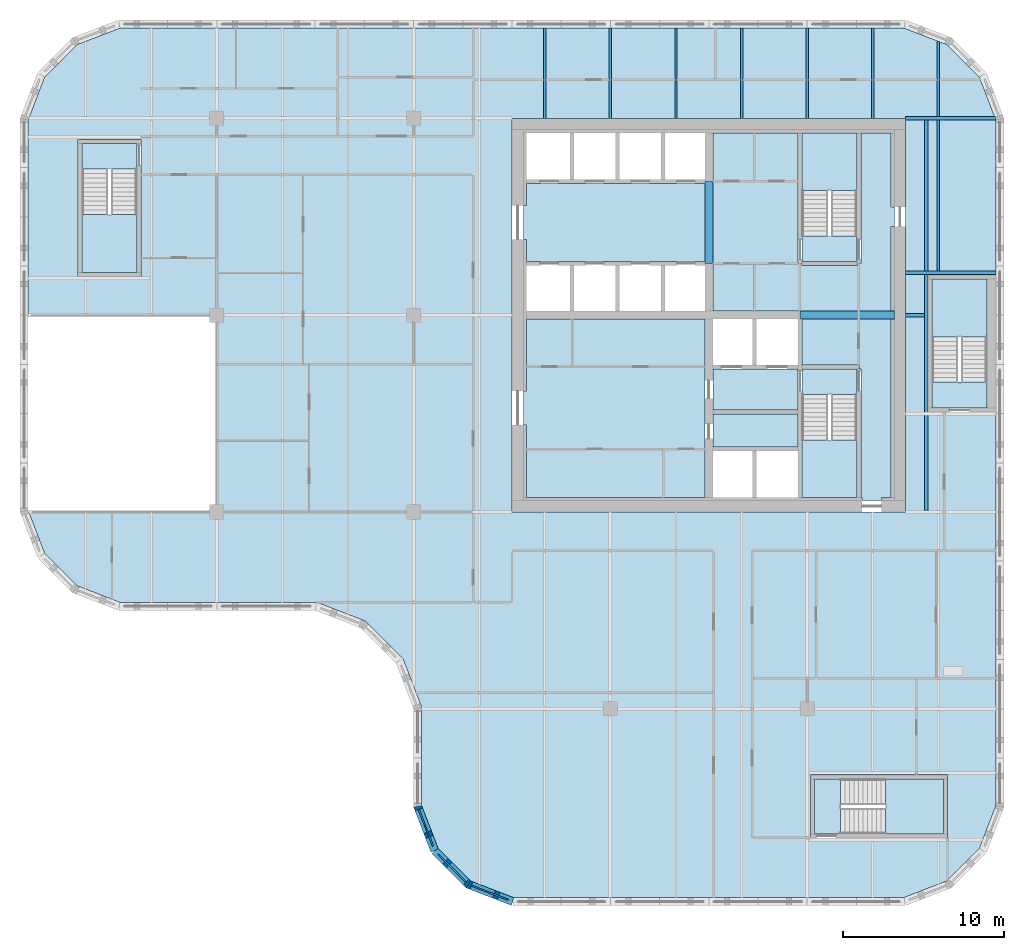
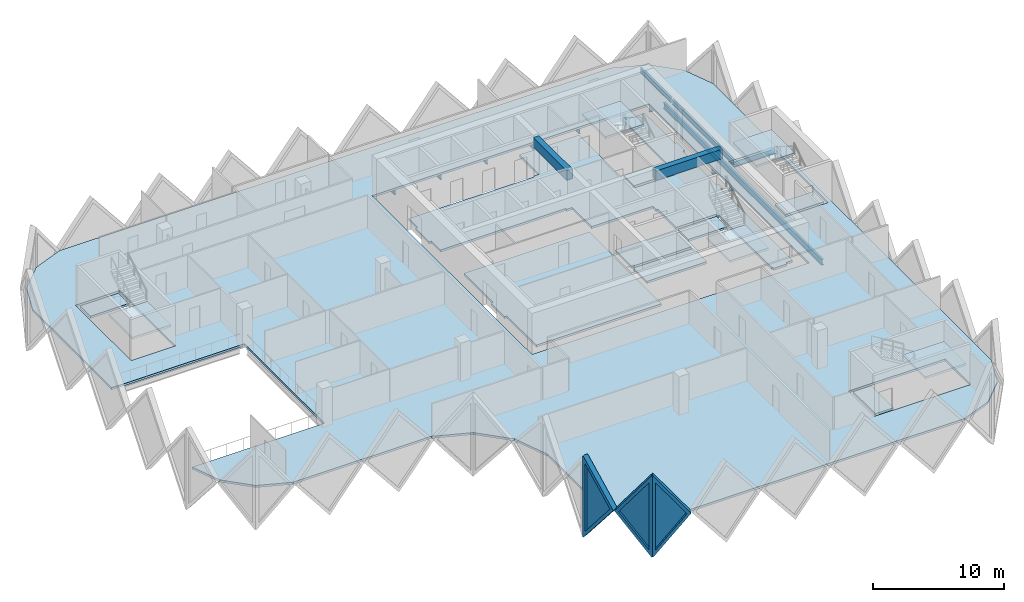
# One storey, part 2 of 13: 15 slabs, 14 beams, 3 plates, 3 walls, 3 openings, 5 elements without a shape of their own.
"""IFC4 building model written with IfcOpenShell, lengths in metres."""

from ifc_helpers import new_model, si_unit, direction, frame, origin, origin_2d, place, context, subcontext, project, spatial, polyline, rectangle, i_section, outline, extrude, faceted_brep, source, transform, mapped, material, layer, layer_set, material_profile, profile_set, type_object, element, fill, aggregate, save


model = new_model("IFC4")

# Units and contexts
model_context = context("Model", 3, precision=1e-05, world=origin(), true_north=direction((0.0, 1.0)))
body_context = subcontext(model_context, "Body", "Model", "MODEL_VIEW")
ifc_project = project(units=[si_unit("LENGTHUNIT", "METRE"), si_unit("AREAUNIT", "SQUARE_METRE"), si_unit("VOLUMEUNIT", "CUBIC_METRE"), si_unit("PLANEANGLEUNIT", "RADIAN"), si_unit("MASSUNIT", "GRAM", prefix="KILO")], contexts=[model_context])

# Site, building, storey
site_placement = place(None, origin())
site = spatial("IfcSite", under=ifc_project, at=site_placement, CompositionType="ELEMENT")
building_placement = place(site_placement, origin())
building = spatial("IfcBuilding", under=site, at=building_placement, Name="Tessera Gate Towers", CompositionType="ELEMENT")
storey_placement = place(building_placement, frame((0.0, 0.0, 131.60009765625)))
storey = spatial("IfcBuildingStorey", under=building, at=storey_placement, Name="L32", CompositionType="ELEMENT", Elevation=131.60009765625)

# Beams
ifc_material_1 = material(Name="Concrete C60/75", Category="concrete")
ifc_material_profile_1 = material_profile(ifc_material_1, rectangle(XDim=0.5, YDim=0.89990234375, at=origin_2d()), Name="RC 500x900")
ifc_profile_set_1 = profile_set([ifc_material_profile_1], Name="Concrete C60/75")
beam_type_1 = type_object("IfcBeamType", Name="COUPLING BEAM 500x900 C60/75", PredefinedType="BEAM", material=ifc_profile_set_1)
beam_1_placement = place(storey_placement, frame((48.35009765625, 36.60009765625, 3.14990234375), z_axis=(1.0, 0.0, 0.0), x_axis=(0.0, 1.0, 0.0)))
element("IfcBeam", 1, at=beam_1_placement, inside=storey, type_object=beam_type_1, Name="L32 coupling beam 1", PredefinedType="BEAM", context=body_context, shape_type="SweptSolid", body=[
    extrude(rectangle(XDim=0.5, YDim=0.89990234375, at=origin_2d()), origin(), (0.0, 0.0, 1.0), 5.849853515625),
])
beam_2_placement = place(storey_placement, frame((42.699951171875, 39.800048828125, 3.14990234375), z_axis=(0.0, 1.0, 0.0), x_axis=(-1.0, 0.0, 0.0)))
element("IfcBeam", 2, at=beam_2_placement, inside=storey, type_object=beam_type_1, Name="L32 coupling beam 2", PredefinedType="BEAM", context=body_context, shape_type="SweptSolid", body=[
    extrude(rectangle(XDim=0.5, YDim=0.89990234375, at=origin_2d()), origin(), (0.0, 0.0, 1.0), 5.099853515625),
])
ifc_material_2 = material(Name="Steel 350W", Category="steel")
ifc_material_profile_2 = material_profile(ifc_material_2, i_section(OverallWidth=0.208984375, OverallDepth=0.532958984375, WebThickness=0.01025390625, FlangeThickness=0.015625, at=origin_2d()), Name="W530x92")
ifc_profile_set_2 = profile_set([ifc_material_profile_2], Name="Steel 350W")
beam_type_2 = type_object("IfcBeamType", Name="FLOOR GIRDER W530x92", PredefinedType="BEAM", material=ifc_profile_set_2)
beam_3_placement = place(storey_placement, frame((54.89892578125, 36.60009765625, -0.466552734375), z_axis=(1.0, 0.0, 0.0), x_axis=(0.0, 1.0, 0.0)))
element("IfcBeam", 3, at=beam_3_placement, inside=storey, type_object=beam_type_2, Name="T1-GD-L32-3936", PredefinedType="BEAM", context=body_context, shape_type="SweptSolid", body=[
    extrude(i_section(OverallWidth=0.208984375, OverallDepth=0.532958984375, WebThickness=0.01025390625, FlangeThickness=0.015625, at=origin_2d()), origin(), (0.0, 0.0, 1.0), 1.176513671875),
])
beam_4_placement = place(storey_placement, frame((54.90087890625, 48.800048828125, -0.466552734375), z_axis=(1.0, 0.0, 0.0), x_axis=(0.0, 1.0, 0.0)))
element("IfcBeam", 4, at=beam_4_placement, inside=storey, type_object=beam_type_2, Name="T1-GD-L32-3940", PredefinedType="BEAM", context=body_context, shape_type="SweptSolid", body=[
    extrude(i_section(OverallWidth=0.208984375, OverallDepth=0.532958984375, WebThickness=0.01025390625, FlangeThickness=0.015625, at=origin_2d()), origin(), (0.0, 0.0, 1.0), 5.564208984375),
])
beam_5_placement = place(storey_placement, frame((54.89892578125, 39.219970703125, -0.466552734375), z_axis=(1.0, 0.0, 0.0), x_axis=(0.0, 1.0, 0.0)))
element("IfcBeam", 5, at=beam_5_placement, inside=storey, type_object=beam_type_2, Name="T1-GD-L32-3958", PredefinedType="BEAM", context=body_context, shape_type="SweptSolid", body=[
    extrude(i_section(OverallWidth=0.208984375, OverallDepth=0.532958984375, WebThickness=0.01025390625, FlangeThickness=0.015625, at=origin_2d()), origin(), (0.0, 0.0, 1.0), 5.60205078125),
])
beam_6_placement = place(storey_placement, frame((56.179931640625, 24.50439453125, -0.466552734375), z_axis=(0.0, 1.0, 0.0), x_axis=(-1.0, 0.0, 0.0)))
element("IfcBeam", 6, at=beam_6_placement, inside=storey, type_object=beam_type_2, Name="T1-GD-L32-3959", PredefinedType="BEAM", context=body_context, shape_type="SweptSolid", body=[
    extrude(i_section(OverallWidth=0.208984375, OverallDepth=0.532958984375, WebThickness=0.01025390625, FlangeThickness=0.015625, at=origin_2d()), origin(), (0.0, 0.0, 1.0), 24.191162109375),
])
ifc_material_3 = material(Name="Steel 350W", Category="steel")
ifc_material_profile_3 = material_profile(ifc_material_3, i_section(OverallWidth=0.153076171875, OverallDepth=0.455078125, WebThickness=0.008056640625, FlangeThickness=0.01318359375, at=origin_2d()), Name="W460x60")
ifc_profile_set_3 = profile_set([ifc_material_profile_3], Name="Steel 350W")
beam_type_3 = type_object("IfcBeamType", Name="FLOOR SECONDARY W460x60", PredefinedType="BEAM", material=ifc_profile_set_3)
for number, where, z_axis, x_axis, name in (
    (7, (32.533203125, 48.800048828125, -0.427490234375), (0.0, 1.0, 0.0), (-1.0, 0.0, 0.0), "T1-BM-L32-3981"),
    (8, (36.60009765625, 48.800048828125, -0.427490234375), (0.0, 1.0, 0.0), (-1.0, 0.0, 0.0), "T1-BM-L32-3982"),
    (9, (40.666748046875, 48.800048828125, -0.427490234375), (0.0, 1.0, 0.0), (-1.0, 0.0, 0.0), "T1-BM-L32-3985"),
    (10, (44.7333984375, 48.800048828125, -0.427490234375), (0.0, 1.0, 0.0), (-1.0, 0.0, 0.0), "T1-BM-L32-3988"),
    (11, (48.800048828125, 48.800048828125, -0.427490234375), (0.0, 1.0, 0.0), (-1.0, 0.0, 0.0), "T1-BM-L32-3989"),
    (12, (52.86669921875, 48.800048828125, -0.427490234375), (0.0, 1.0, 0.0), (-1.0, 0.0, 0.0), "T1-BM-L32-3993"),
):
    element("IfcBeam", number, at=place(storey_placement, frame(where, z_axis=z_axis, x_axis=x_axis)), inside=storey, type_object=beam_type_3, Name=name, PredefinedType="BEAM", context=body_context, shape_type="SweptSolid", body=[
        extrude(i_section(OverallWidth=0.153076171875, OverallDepth=0.455078125, WebThickness=0.008056640625, FlangeThickness=0.01318359375, at=origin_2d()), origin(), (0.0, 0.0, 1.0), 5.599853515625),
    ])
beam_7_placement = place(storey_placement, frame((56.933349609375, 39.324462890625, -0.427490234375), z_axis=(0.0, 1.0, 0.0), x_axis=(-1.0, 0.0, 0.0)))
element("IfcBeam", 13, at=beam_7_placement, inside=storey, type_object=beam_type_3, Name="T1-BM-L32-3998", PredefinedType="BEAM", context=body_context, shape_type="SweptSolid", body=[
    extrude(i_section(OverallWidth=0.153076171875, OverallDepth=0.455078125, WebThickness=0.008056640625, FlangeThickness=0.01318359375, at=origin_2d()), origin(), (0.0, 0.0, 1.0), 9.37109375),
])
beam_8_placement = place(storey_placement, frame((56.933349609375, 48.904541015625, -0.427490234375), z_axis=(0.0, 1.0, 0.0), x_axis=(-1.0, 0.0, 0.0)))
element("IfcBeam", 14, at=beam_8_placement, inside=storey, type_object=beam_type_3, Name="T1-BM-L32-3999", PredefinedType="BEAM", context=body_context, shape_type="SweptSolid", body=[
    extrude(i_section(OverallWidth=0.153076171875, OverallDepth=0.455078125, WebThickness=0.008056640625, FlangeThickness=0.01318359375, at=origin_2d()), origin(), (0.0, 0.0, 1.0), 4.675048828125),
])

# Slabs
ifc_material_4 = material(Name="Concrete C35/45", Category="concrete")
ifc_layer_1 = layer(ifc_material_4, 0.199951171875)
ifc_layer_set_1 = layer_set([ifc_layer_1], Name="COMPOSITE FLOOR 200")
slab_type_1 = type_object("IfcSlabType", Name="COMPOSITE FLOOR 200", PredefinedType="FLOOR", material=ifc_layer_set_1)
slab_1_placement = place(storey_placement, frame((0.0, 0.0, -0.2001953125)))
element("IfcSlab", 15, at=slab_1_placement, inside=storey, type_object=slab_type_1, Name="T1-L32", PredefinedType="FLOOR", context=body_context, shape_type="SweptSolid", body=[
    extrude(outline(polyline([(0.5, 36.60009765625), (12.199951171875, 36.60009765625), (12.199951171875, 24.39990234375), (0.535888671875, 24.39990234375), (1.526123046875, 21.8330078125), (3.533203125, 19.826171875), (6.193115234375, 18.800048828125), (18.39306640625, 18.800048828125), (21.42431640625, 17.630615234375), (23.730712890625, 15.32421875), (24.89990234375, 12.293212890625), (24.89990234375, 6.193115234375), (25.926025390625, 3.533203125), (27.93310546875, 1.526123046875), (30.593017578125, 0.5), (54.806884765625, 0.5), (57.466796875, 1.526123046875), (59.473876953125, 3.533203125), (60.5, 6.193115234375), (60.5, 48.706787109375), (59.473876953125, 51.366943359375), (57.466796875, 53.373779296875), (54.806884765625, 54.39990234375), (6.193115234375, 54.39990234375), (3.533203125, 53.373779296875), (1.526123046875, 51.366943359375), (0.5, 48.706787109375), (0.5, 36.60009765625)]), holes=[polyline([(3.60009765625, 39.0), (3.60009765625, 47.5), (7.5, 47.5), (7.5, 39.0), (3.60009765625, 39.0)]), polyline([(30.5, 24.39990234375), (30.5, 48.800048828125), (54.89990234375, 48.800048828125), (54.89990234375, 24.39990234375), (30.5, 24.39990234375)]), polyline([(49.0, 4.199951171875), (49.0, 8.10009765625), (57.5, 8.10009765625), (57.5, 4.199951171875), (49.0, 4.199951171875)]), polyline([(56.300048828125, 30.60009765625), (56.300048828125, 39.10009765625), (60.199951171875, 39.10009765625), (60.199951171875, 30.60009765625), (56.300048828125, 30.60009765625)])]), origin(), (0.0, 0.0, 1.0), 0.2001953125),
])
ifc_material_5 = material(Name="Concrete C35/45", Category="concrete")
ifc_layer_2 = layer(ifc_material_5, 0.199951171875)
ifc_layer_set_2 = layer_set([ifc_layer_2], Name="CORE FLOOR SLAB 200")
slab_type_2 = type_object("IfcSlabType", Name="CORE FLOOR SLAB 200", PredefinedType="FLOOR", material=ifc_layer_set_2)
slab_2_placement = place(storey_placement, frame((0.0, 0.0, -0.2001953125)))
element("IfcSlab", 16, at=slab_2_placement, inside=storey, type_object=slab_type_2, Name="L32 core floor slab", PredefinedType="FLOOR", context=body_context, shape_type="SweptSolid", body=[
    extrude(outline(polyline([(42.449951171875, 44.89990234375), (42.449951171875, 44.77490234375), (31.39990234375, 44.77490234375), (31.39990234375, 43.39990234375), (31.199951171875, 43.39990234375), (31.199951171875, 41.300048828125), (31.39990234375, 41.300048828125), (31.39990234375, 39.925048828125), (42.449951171875, 39.925048828125), (42.449951171875, 39.800048828125), (42.949951171875, 39.800048828125), (42.949951171875, 36.85009765625), (48.35009765625, 36.85009765625), (48.35009765625, 36.35009765625), (48.47509765625, 36.35009765625), (48.47509765625, 33.52490234375), (52.0, 33.52490234375), (52.0, 33.27490234375), (52.125, 33.27490234375), (52.125, 25.300048828125), (52.199951171875, 25.300048828125), (52.199951171875, 25.10009765625), (53.39990234375, 25.10009765625), (53.39990234375, 25.300048828125), (54.0, 25.300048828125), (54.0, 36.320068359375), (54.199951171875, 36.320068359375), (54.199951171875, 36.8798828125), (54.0, 36.8798828125), (54.0, 42.10009765625), (54.199951171875, 42.10009765625), (54.199951171875, 43.300048828125), (54.0, 43.300048828125), (54.0, 47.89990234375), (52.125, 47.89990234375), (52.125, 39.800048828125), (51.875, 39.800048828125), (51.875, 39.675048828125), (48.47509765625, 39.675048828125), (48.47509765625, 39.800048828125), (48.22509765625, 39.800048828125), (48.22509765625, 47.89990234375), (42.949951171875, 47.89990234375), (42.949951171875, 44.89990234375), (42.449951171875, 44.89990234375)])), origin(), (0.0, 0.0, 1.0), 0.2001953125),
])
slab_3_placement = place(storey_placement, frame((0.0, 0.0, -0.2001953125)))
element("IfcSlab", 17, at=slab_3_placement, inside=storey, type_object=slab_type_2, Name="L32 core floor slab", PredefinedType="FLOOR", context=body_context, shape_type="SweptSolid", body=[
    extrude(outline(polyline([(31.39990234375, 36.35009765625), (31.39990234375, 31.89990234375), (31.199951171875, 31.89990234375), (31.199951171875, 29.800048828125), (31.39990234375, 29.800048828125), (31.39990234375, 25.300048828125), (42.449951171875, 25.300048828125), (42.449951171875, 36.35009765625), (31.39990234375, 36.35009765625)])), origin(), (0.0, 0.0, 1.0), 0.2001953125),
])
slab_4_placement = place(storey_placement, frame((0.0, 0.0, -0.2001953125)))
element("IfcSlab", 18, at=slab_4_placement, inside=storey, type_object=slab_type_2, Name="L32 core floor slab", PredefinedType="FLOOR", context=body_context, shape_type="SweptSolid", body=[
    extrude(outline(polyline([(42.949951171875, 33.27490234375), (42.949951171875, 30.72509765625), (48.22509765625, 30.72509765625), (48.22509765625, 33.27490234375), (42.949951171875, 33.27490234375)])), origin(), (0.0, 0.0, 1.0), 0.2001953125),
])
slab_5_placement = place(storey_placement, frame((0.0, 0.0, -0.2001953125)))
element("IfcSlab", 19, at=slab_5_placement, inside=storey, type_object=slab_type_2, Name="L32 core floor slab", PredefinedType="FLOOR", context=body_context, shape_type="SweptSolid", body=[
    extrude(outline(polyline([(48.22509765625, 30.47509765625), (42.949951171875, 30.47509765625), (42.949951171875, 28.425048828125), (48.22509765625, 28.425048828125), (48.22509765625, 30.47509765625)])), origin(), (0.0, 0.0, 1.0), 0.2001953125),
])
slab_6_placement = place(storey_placement, frame((0.0, 0.0, -0.2001953125)))
element("IfcSlab", 20, at=slab_6_placement, inside=storey, type_object=slab_type_2, Name="L32 core floor slab", PredefinedType="FLOOR", context=body_context, shape_type="SweptSolid", body=[
    extrude(outline(polyline([(51.875, 31.675048828125), (51.875, 33.27490234375), (48.47509765625, 33.27490234375), (48.47509765625, 31.675048828125), (51.875, 31.675048828125)])), origin(), (0.0, 0.0, 1.0), 0.2001953125),
])
slab_7_placement = place(storey_placement, frame((0.0, 0.0, -0.2001953125)))
element("IfcSlab", 21, at=slab_7_placement, inside=storey, type_object=slab_type_2, Name="L32 core floor slab", PredefinedType="FLOOR", context=body_context, shape_type="SweptSolid", body=[
    extrude(outline(polyline([(48.47509765625, 41.52490234375), (48.47509765625, 39.925048828125), (51.875, 39.925048828125), (51.875, 41.52490234375), (48.47509765625, 41.52490234375)])), origin(), (0.0, 0.0, 1.0), 0.2001953125),
])
slab_8_placement = place(storey_placement, frame((0.0, 0.0, -0.2001953125)))
element("IfcSlab", 22, at=slab_8_placement, inside=storey, type_object=slab_type_2, Name="L32 ST3 floor landing", PredefinedType="FLOOR", context=body_context, shape_type="SweptSolid", body=[
    extrude(outline(polyline([(3.85009765625, 47.25), (3.85009765625, 45.64990234375), (7.25, 45.64990234375), (7.25, 47.25), (3.85009765625, 47.25)])), origin(), (0.0, 0.0, 1.0), 0.2001953125),
])
slab_9_placement = place(storey_placement, frame((0.0, 0.0, -0.2001953125)))
element("IfcSlab", 23, at=slab_9_placement, inside=storey, type_object=slab_type_2, Name="L32 ST4 floor landing", PredefinedType="FLOOR", context=body_context, shape_type="SweptSolid", body=[
    extrude(outline(polyline([(49.25, 4.449951171875), (50.85009765625, 4.449951171875), (50.85009765625, 7.85009765625), (49.25, 7.85009765625), (49.25, 4.449951171875)])), origin(), (0.0, 0.0, 1.0), 0.2001953125),
])
slab_10_placement = place(storey_placement, frame((0.0, 0.0, -0.2001953125)))
element("IfcSlab", 24, at=slab_10_placement, inside=storey, type_object=slab_type_2, Name="L32 ST5 floor landing", PredefinedType="FLOOR", context=body_context, shape_type="SweptSolid", body=[
    extrude(outline(polyline([(59.949951171875, 30.85009765625), (59.949951171875, 32.449951171875), (56.550048828125, 32.449951171875), (56.550048828125, 30.85009765625), (59.949951171875, 30.85009765625)])), origin(), (0.0, 0.0, 1.0), 0.2001953125),
])

# Stair, slab
ifc_material_6 = material(Name="Concrete C40/50", Category="concrete")
stair_type_1 = type_object("IfcStairType", Name="EXIT STAIR ST1 1600", PredefinedType="HALF_TURN_STAIR", material=ifc_material_6)
stair_1_placement = place(storey_placement, origin())
stair_1 = element("IfcStair", 25, at=stair_1_placement, inside=storey, type_object=stair_type_1, Name="L32 Protected Exit Stair ST1", PredefinedType="HALF_TURN_STAIR")
ifc_material_7 = material(Name="Concrete C40/50", Category="concrete")
ifc_layer_3 = layer(ifc_material_7, 0.199951171875)
ifc_layer_set_3 = layer_set([ifc_layer_3], Name="EXIT STAIR LANDING 200")
slab_type_3 = type_object("IfcSlabType", Name="EXIT STAIR LANDING 200", PredefinedType="LANDING", material=ifc_layer_set_3)
slab_11_placement = place(storey_placement, frame((0.0, 0.0, 1.699951171875)))
slab_11 = element("IfcSlab", 26, at=slab_11_placement, type_object=slab_type_3, Name="ST1 landing 1", PredefinedType="LANDING", context=body_context, shape_type="SweptSolid", body=[
    extrude(outline(polyline([(48.47509765625, 28.875), (48.47509765625, 25.300048828125), (51.875, 25.300048828125), (51.875, 28.875), (48.47509765625, 28.875)])), origin(), (0.0, 0.0, 1.0), 0.199951171875),
])
aggregate(stair_1, [slab_11])

ifc_material_8 = material(Name="Concrete C40/50", Category="concrete")
stair_type_2 = type_object("IfcStairType", Name="EXIT STAIR ST2 1600", PredefinedType="HALF_TURN_STAIR", material=ifc_material_8)
stair_2_placement = place(storey_placement, origin())
stair_2 = element("IfcStair", 27, at=stair_2_placement, inside=storey, type_object=stair_type_2, Name="L32 Protected Exit Stair ST2", PredefinedType="HALF_TURN_STAIR")
slab_12_placement = place(storey_placement, frame((0.0, 0.0, 1.699951171875)))
slab_12 = element("IfcSlab", 28, at=slab_12_placement, type_object=slab_type_3, Name="ST2 landing 1", PredefinedType="LANDING", context=body_context, shape_type="SweptSolid", body=[
    extrude(outline(polyline([(51.875, 44.324951171875), (51.875, 47.89990234375), (48.47509765625, 47.89990234375), (48.47509765625, 44.324951171875), (51.875, 44.324951171875)])), origin(), (0.0, 0.0, 1.0), 0.199951171875),
])
aggregate(stair_2, [slab_12])

ifc_material_9 = material(Name="Concrete C40/50", Category="concrete")
stair_type_3 = type_object("IfcStairType", Name="EXIT STAIR ST3 1600", PredefinedType="HALF_TURN_STAIR", material=ifc_material_9)
stair_3_placement = place(storey_placement, origin())
stair_3 = element("IfcStair", 29, at=stair_3_placement, inside=storey, type_object=stair_type_3, Name="L32 West Exit Stair ST3", PredefinedType="HALF_TURN_STAIR")
slab_13_placement = place(storey_placement, frame((0.0, 0.0, 1.699951171875)))
slab_13 = element("IfcSlab", 30, at=slab_13_placement, type_object=slab_type_3, Name="ST3 landing 1", PredefinedType="LANDING", context=body_context, shape_type="SweptSolid", body=[
    extrude(outline(polyline([(3.85009765625, 42.85009765625), (3.85009765625, 39.25), (7.25, 39.25), (7.25, 42.85009765625), (3.85009765625, 42.85009765625)])), origin(), (0.0, 0.0, 1.0), 0.199951171875),
])
aggregate(stair_3, [slab_13])

ifc_material_10 = material(Name="Concrete C40/50", Category="concrete")
stair_type_4 = type_object("IfcStairType", Name="EXIT STAIR ST4 1600", PredefinedType="HALF_TURN_STAIR", material=ifc_material_10)
stair_4_placement = place(storey_placement, origin())
stair_4 = element("IfcStair", 31, at=stair_4_placement, inside=storey, type_object=stair_type_4, Name="L32 South Exit Stair ST4", PredefinedType="HALF_TURN_STAIR")
slab_14_placement = place(storey_placement, frame((0.0, 0.0, 1.699951171875)))
slab_14 = element("IfcSlab", 32, at=slab_14_placement, type_object=slab_type_3, Name="ST4 landing 1", PredefinedType="LANDING", context=body_context, shape_type="SweptSolid", body=[
    extrude(outline(polyline([(53.64990234375, 4.449951171875), (57.25, 4.449951171875), (57.25, 7.85009765625), (53.64990234375, 7.85009765625), (53.64990234375, 4.449951171875)])), origin(), (0.0, 0.0, 1.0), 0.199951171875),
])
aggregate(stair_4, [slab_14])

ifc_material_11 = material(Name="Concrete C40/50", Category="concrete")
stair_type_5 = type_object("IfcStairType", Name="EXIT STAIR ST5 1600", PredefinedType="HALF_TURN_STAIR", material=ifc_material_11)
stair_5_placement = place(storey_placement, origin())
stair_5 = element("IfcStair", 33, at=stair_5_placement, inside=storey, type_object=stair_type_5, Name="L32 East Exit Stair ST5", PredefinedType="HALF_TURN_STAIR")
slab_15_placement = place(storey_placement, frame((0.0, 0.0, 1.699951171875)))
slab_15 = element("IfcSlab", 34, at=slab_15_placement, type_object=slab_type_3, Name="ST5 landing 1", PredefinedType="LANDING", context=body_context, shape_type="SweptSolid", body=[
    extrude(outline(polyline([(59.949951171875, 35.25), (59.949951171875, 38.85009765625), (56.550048828125, 38.85009765625), (56.550048828125, 35.25), (59.949951171875, 35.25)])), origin(), (0.0, 0.0, 1.0), 0.199951171875),
])
aggregate(stair_5, [slab_15])

# Wall, opening, plate
ifc_material_12 = material(Name="Precast concrete C60/75 white", Category="concrete")
ifc_layer_4 = layer(ifc_material_12, 0.5)
ifc_layer_set_4 = layer_set([ifc_layer_4], Name="TS3 corner tessera")
wall_type = type_object("IfcWallType", Name="TS3 corner tessera", PredefinedType="SOLIDWALL", material=ifc_layer_set_4)
shared_shape_1 = source(origin(), body_context, "Body", "Brep", [
    faceted_brep([(0.046630859375, -0.25, 0.0), (2.9970703125, -0.25, 3.800048828125), (0.046630859375, -0.25, 7.599853515625), (0.0, -0.25, 7.541015625), (0.0, -0.25, 0.058837890625), (0.09326171875, 0.25, 7.539794921875), (2.9443359375, 0.25, 3.8681640625), (2.9443359375, 0.25, 3.73193359375), (0.09326171875, 0.25, 0.06005859375), (2.9970703125, 0.00048828125, 3.800048828125), (0.046630859375, 0.0, 0.0), (0.046630859375, 0.0, 7.599853515625)], [[[0, 1, 2, 3, 4]], [[5, 6, 7, 8]], [[8, 7, 9, 1, 0, 10]], [[6, 5, 11, 2, 1, 9]], [[3, 2, 11]], [[10, 0, 4]], [[8, 10, 4, 3, 11, 5]], [[7, 6, 9]]]),
])
wall_1_placement = place(storey_placement, frame((24.63330078125, 6.18994140625, -3.800048828125), z_axis=(0.0, 0.0, 1.0), x_axis=(0.359901446078, -0.932990326376, 0.0)))
wall_1 = element("IfcWall", 35, at=wall_1_placement, inside=storey, type_object=wall_type, Name="Precast corner tessera T1 TS3-0742", PredefinedType="SOLIDWALL", context=body_context, shape_type="MappedRepresentation", body=[
    mapped(shared_shape_1, transform((0.0, 0.0, 0.0), scale=1.0)),
])
shared_shape_2 = source(origin(), body_context, "Body", "SweptSolid", [
    extrude(outline(polyline([(0.24658203125, 0.665283203125), (2.6806640625, 3.800048828125), (0.24658203125, 6.934814453125), (0.24658203125, 0.665283203125)])), frame((0.0, 0.260009765625, 0.0), z_axis=(0.0, -1.0, 0.0), x_axis=(1.0, 0.0, 0.0)), (0.0, 0.0, 1.0), 0.52001953125),
])
opening_1_placement = place(wall_1_placement, origin())
opening_1 = element("IfcOpeningElement", 36, at=opening_1_placement, cuts=wall_1, Name="Opening T1-PL2-1125", PredefinedType="OPENING", context=body_context, shape_type="MappedRepresentation", body=[
    mapped(shared_shape_2, transform((0.0, 0.0, 0.0), scale=1.0)),
])
ifc_material_13 = material(Name="Low-e laminated glass", Category="glass")
ifc_layer_5 = layer(ifc_material_13, 0.06005859375)
ifc_layer_set_5 = layer_set([ifc_layer_5], Name="PL2 rhombic pane")
plate_type = type_object("IfcPlateType", Name="PL2 rhombic pane", PredefinedType="SHEET", material=ifc_layer_set_5)
shared_shape_3 = source(origin(), body_context, "Body", "SweptSolid", [
    extrude(outline(polyline([(0.24658203125, 0.665283203125), (2.6806640625, 3.800048828125), (0.24658203125, 6.934814453125), (0.24658203125, 0.665283203125)])), frame((0.0, 0.030029296875, 0.0), z_axis=(0.0, -1.0, 0.0), x_axis=(1.0, 0.0, 0.0)), (0.0, 0.0, 1.0), 0.06005859375),
])
plate_1_placement = place(opening_1_placement, origin())
plate_1 = element("IfcPlate", 37, at=plate_1_placement, inside=storey, type_object=plate_type, Name="Glass pane T1 PL2-1125", PredefinedType="SHEET", context=body_context, shape_type="MappedRepresentation", body=[
    mapped(shared_shape_3, transform((0.0, 0.0, 0.0), scale=1.0)),
])
fill(opening_1, plate_1)

shared_shape_4 = source(origin(), body_context, "Body", "Brep", [
    faceted_brep([(0.052978515625, -0.25, 0.0), (3.00341796875, -0.25, 3.800048828125), (0.052978515625, -0.25, 7.599853515625), (0.0, -0.25, 7.531494140625), (0.0, -0.25, 0.068359375), (0.10595703125, 0.25, 7.53173828125), (2.95703125, 0.25, 3.85986328125), (2.95703125, 0.25, 3.740234375), (0.10595703125, 0.25, 0.068115234375), (3.00341796875, 0.00048828125, 3.800048828125), (0.052978515625, 0.0, 0.0), (0.052978515625, 0.0, 7.599853515625)], [[[0, 1, 2, 3, 4]], [[5, 6, 7, 8]], [[8, 7, 9, 1, 0, 10]], [[6, 5, 11, 2, 1, 9]], [[3, 2, 11]], [[10, 0, 4]], [[8, 10, 4, 3, 11, 5]], [[7, 6, 9]]]),
])
wall_2_placement = place(storey_placement, frame((27.744384765625, 1.3310546875, -3.800048828125), z_axis=(0.0, 0.0, 1.0), x_axis=(0.932970071518, -0.359953949349, 0.0)))
wall_2 = element("IfcWall", 38, at=wall_2_placement, inside=storey, type_object=wall_type, Name="Precast corner tessera T1 TS3-0744", PredefinedType="SOLIDWALL", context=body_context, shape_type="MappedRepresentation", body=[
    mapped(shared_shape_4, transform((0.0, 0.0, 0.0), scale=1.0)),
])
shared_shape_5 = source(origin(), body_context, "Body", "SweptSolid", [
    extrude(outline(polyline([(0.2529296875, 0.665283203125), (2.68701171875, 3.800048828125), (0.2529296875, 6.934814453125), (0.2529296875, 0.665283203125)])), frame((0.0, 0.260009765625, 0.0), z_axis=(0.0, -1.0, 0.0), x_axis=(1.0, 0.0, 0.0)), (0.0, 0.0, 1.0), 0.52001953125),
])
opening_2_placement = place(wall_2_placement, origin())
opening_2 = element("IfcOpeningElement", 39, at=opening_2_placement, cuts=wall_2, Name="Opening T1-PL2-1127", PredefinedType="OPENING", context=body_context, shape_type="MappedRepresentation", body=[
    mapped(shared_shape_5, transform((0.0, 0.0, 0.0), scale=1.0)),
])
shared_shape_6 = source(origin(), body_context, "Body", "SweptSolid", [
    extrude(outline(polyline([(0.2529296875, 0.665283203125), (2.68701171875, 3.800048828125), (0.2529296875, 6.934814453125), (0.2529296875, 0.665283203125)])), frame((0.0, 0.030029296875, 0.0), z_axis=(0.0, -1.0, 0.0), x_axis=(1.0, 0.0, 0.0)), (0.0, 0.0, 1.0), 0.06005859375),
])
plate_2_placement = place(opening_2_placement, origin())
plate_2 = element("IfcPlate", 40, at=plate_2_placement, inside=storey, type_object=plate_type, Name="Glass pane T1 PL2-1127", PredefinedType="SHEET", context=body_context, shape_type="MappedRepresentation", body=[
    mapped(shared_shape_6, transform((0.0, 0.0, 0.0), scale=1.0)),
])
fill(opening_2, plate_2)

shared_shape_7 = source(origin(), body_context, "Body", "Brep", [
    faceted_brep([(2.944091796875, -0.25, 0.0), (2.9970703125, -0.25, 0.068115234375), (2.9970703125, -0.25, 7.53173828125), (2.944091796875, -0.25, 7.599853515625), (0.0, -0.25, 3.800048828125), (0.052978515625, 0.25, 3.868408203125), (2.89111328125, 0.25, 7.53173828125), (2.89111328125, 0.25, 0.068115234375), (0.052978515625, 0.25, 3.731689453125), (2.944091796875, 0.000244140625, 0.0), (2.944091796875, 0.000244140625, 7.599853515625), (0.0, 0.0, 3.800048828125)], [[[0, 1, 2, 3, 4]], [[5, 6, 7, 8]], [[1, 0, 9]], [[10, 3, 2]], [[6, 5, 11, 4, 3, 10]], [[8, 7, 9, 0, 4, 11]], [[8, 11, 5]], [[1, 9, 7, 6, 10, 2]]]),
])
wall_3_placement = place(storey_placement, frame((25.7119140625, 3.393798828125, -3.800048828125), z_axis=(0.0, 0.0, 1.0), x_axis=(0.707066050402, -0.707147509625, 0.0)))
wall_3 = element("IfcWall", 41, at=wall_3_placement, inside=storey, type_object=wall_type, Name="Precast corner tessera T1 TS3-0743", PredefinedType="SOLIDWALL", context=body_context, shape_type="MappedRepresentation", body=[
    mapped(shared_shape_7, transform((0.0, 0.0, 0.0), scale=1.0)),
])
shared_shape_8 = source(origin(), body_context, "Body", "SweptSolid", [
    extrude(outline(polyline([(2.744140625, 6.93359375), (0.316162109375, 3.800048828125), (2.744140625, 0.666259765625), (2.744140625, 6.93359375)])), frame((0.0, 0.260009765625, 0.0), z_axis=(0.0, -1.0, 0.0), x_axis=(1.0, 0.0, 0.0)), (0.0, 0.0, 1.0), 0.52001953125),
])
opening_3_placement = place(wall_3_placement, origin())
opening_3 = element("IfcOpeningElement", 42, at=opening_3_placement, cuts=wall_3, Name="Opening T1-PL2-1126", PredefinedType="OPENING", context=body_context, shape_type="MappedRepresentation", body=[
    mapped(shared_shape_8, transform((0.0, 0.0, 0.0), scale=1.0)),
])
shared_shape_9 = source(origin(), body_context, "Body", "SweptSolid", [
    extrude(outline(polyline([(2.744140625, 6.93359375), (0.316162109375, 3.800048828125), (2.744140625, 0.666259765625), (2.744140625, 6.93359375)])), frame((0.0, 0.030029296875, 0.0), z_axis=(0.0, -1.0, 0.0), x_axis=(1.0, 0.0, 0.0)), (0.0, 0.0, 1.0), 0.06005859375),
])
plate_3_placement = place(opening_3_placement, origin())
plate_3 = element("IfcPlate", 43, at=plate_3_placement, inside=storey, type_object=plate_type, Name="Glass pane T1 PL2-1126", PredefinedType="SHEET", context=body_context, shape_type="MappedRepresentation", body=[
    mapped(shared_shape_9, transform((0.0, 0.0, 0.0), scale=1.0)),
])
fill(opening_3, plate_3)

save(model, "model.ifc")
